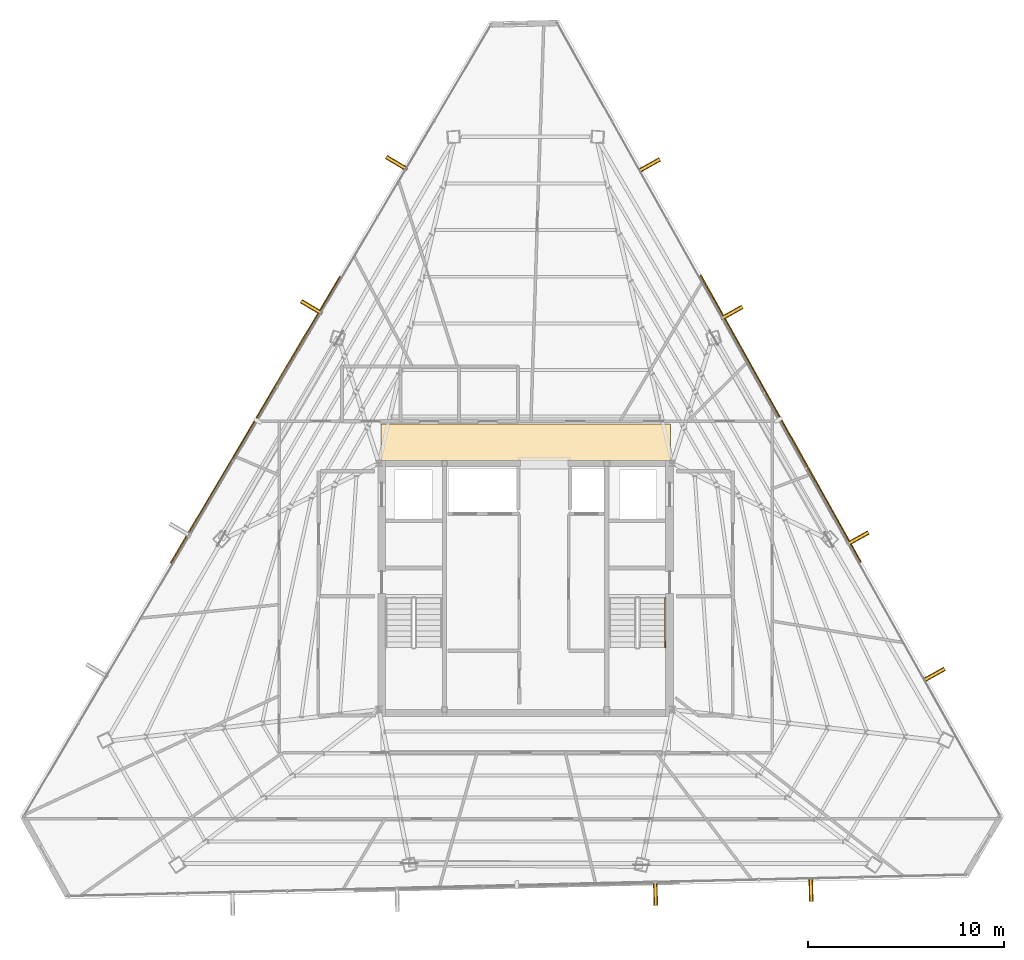
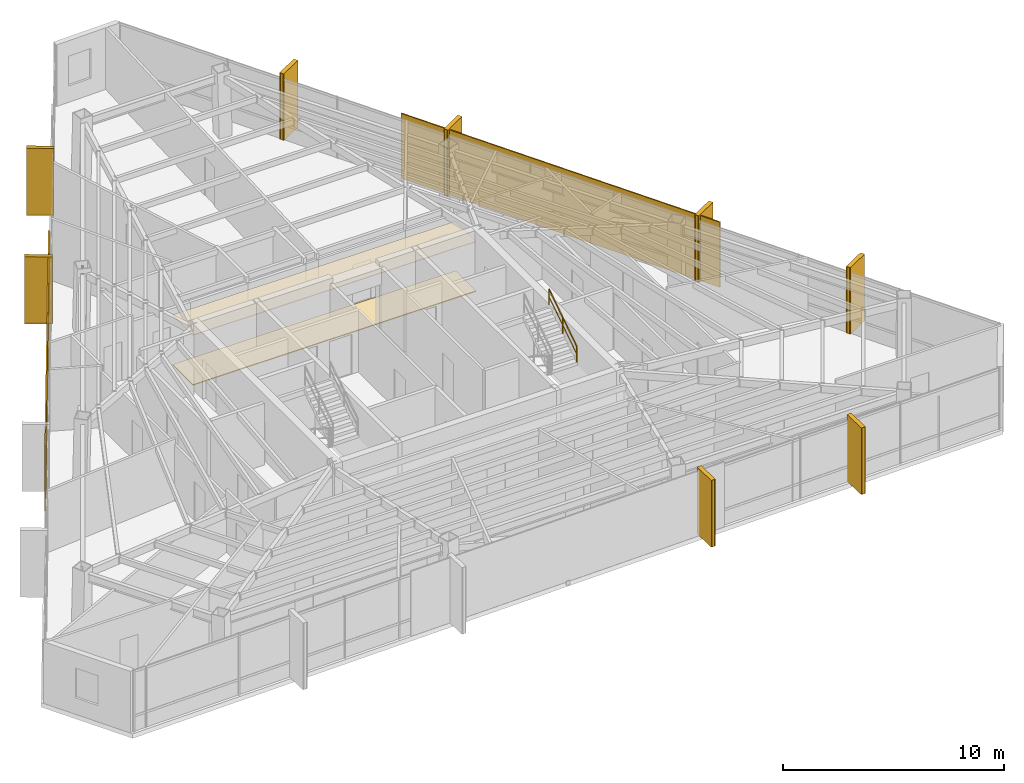
# One storey, part 45 of 45: 10 coverings, 10 shading devices, 1 railing.
"""IFC4 building model written with IfcOpenShell, lengths in metres."""

from ifc_helpers import new_model, si_unit, direction, frame, origin, origin_2d, place, context, subcontext, project, spatial, polyline, rectangle, outline, extrude, source, transform, mapped, material, layer, layer_set, type_object, type_shapes, element, save


model = new_model("IFC4")

# Units and contexts
model_context = context("Model", 3, precision=1e-05, world=origin(), true_north=direction((0.0, 1.0)))
body_context = subcontext(model_context, "Body", "Model", "MODEL_VIEW")
ifc_project = project(units=[si_unit("LENGTHUNIT", "METRE"), si_unit("AREAUNIT", "SQUARE_METRE"), si_unit("VOLUMEUNIT", "CUBIC_METRE"), si_unit("PLANEANGLEUNIT", "RADIAN"), si_unit("MASSUNIT", "GRAM", prefix="KILO")], contexts=[model_context])

# Site, building, storey
site_placement = place(None, origin())
site = spatial("IfcSite", under=ifc_project, at=site_placement, CompositionType="ELEMENT")
building_placement = place(site_placement, origin())
building = spatial("IfcBuilding", under=site, at=building_placement, Name="Caelisora Broadcast Tower", CompositionType="ELEMENT")
storey_placement = place(building_placement, frame((0.0, 0.0, 262.699951171875)))
storey = spatial("IfcBuildingStorey", under=building, at=storey_placement, Name="L69", CompositionType="ELEMENT", Elevation=262.699951171875)

# Coverings
ifc_material_1 = material(Name="Perforated Mineral-Fibre Acoustic Ceiling Tile", Category="gypsum")
ifc_layer_1 = layer(ifc_material_1, 0.034912109375, Name="Perforated Mineral-Fibre Acoustic Ceiling Tile")
ifc_layer_set_1 = layer_set([ifc_layer_1], Name="Perforated Mineral-Fibre Acoustic Ceiling Tile")
covering_type_1 = type_object("IfcCoveringType", Name="CE-1", PredefinedType="CEILING", material=ifc_layer_set_1)
covering_1_placement = place(storey_placement, frame((0.0, 0.0, 2.75)))
element("IfcCovering", 1, at=covering_1_placement, inside=storey, type_object=covering_type_1, Name="L69 acoustic corridor ceiling CE-1 (N)", PredefinedType="CEILING", context=body_context, shape_type="SweptSolid", body=[
    extrude(outline(polyline([(30.60009765625, 30.14990234375), (45.39990234375, 30.14990234375), (45.39990234375, 32.0), (30.60009765625, 32.0), (30.60009765625, 30.14990234375)])), origin(), (0.0, 0.0, 1.0), 0.03515625),
])
ifc_material_2 = material(Name="Anti-Static Broadcast Raised Access Floor Panel", Category="steel")
ifc_layer_2 = layer(ifc_material_2, 0.044921875, Name="Anti-Static Broadcast Raised Access Floor Panel")
ifc_layer_set_2 = layer_set([ifc_layer_2], Name="Anti-Static Broadcast Raised Access Floor Panel")
covering_type_2 = type_object("IfcCoveringType", Name="FL-1", PredefinedType="FLOORING", material=ifc_layer_set_2)
covering_2_placement = place(storey_placement, origin())
element("IfcCovering", 2, at=covering_2_placement, inside=storey, type_object=covering_type_2, Name="L69 broadcast raised access floor FL-1 (N)", PredefinedType="FLOORING", context=body_context, shape_type="SweptSolid", body=[
    extrude(outline(polyline([(30.60009765625, 30.14990234375), (45.39990234375, 30.14990234375), (45.39990234375, 32.0), (30.60009765625, 32.0), (30.60009765625, 30.14990234375)])), origin(), (0.0, 0.0, 1.0), 0.045166015625),
])

# Railing
ifc_material_3 = material(Name="Stainless Steel Grade 316 Tubular Handrail", Category="steel")
ifc_layer_3 = layer(ifc_material_3, 0.048095703125, Name="Stainless Steel Grade 316 Tubular Handrail")
ifc_layer_set_3 = layer_set([ifc_layer_3], Name="Stainless Steel Grade 316 Tubular Handrail")
railing_type = type_object("IfcRailingType", Name="HR-1", PredefinedType="HANDRAIL", material=ifc_layer_set_3)
railing_placement = place(storey_placement, frame((45.1298828125, 20.580078125, 2.007568359375)))
element("IfcRailing", 3, at=railing_placement, inside=storey, type_object=railing_type, Name="L69 ST-2 stair handrail 2", PredefinedType="HANDRAIL", context=body_context, shape_type="SweptSolid", body=[
    extrude(rectangle(XDim=0.048095703125, YDim=0.048095703125, at=origin_2d()), frame((0.0, 0.0, 0.8759765625), z_axis=(0.0, 0.837749427056, 0.546054848405), x_axis=(-1.0, 0.0, 0.0)), (0.0, 0.0, 1.0), 3.008056640625),
    extrude(rectangle(XDim=0.03125, YDim=0.03125, at=origin_2d()), frame((0.0, 0.0, 0.449951171875), z_axis=(0.0, 0.837749427056, 0.546054848405), x_axis=(-1.0, 0.0, 0.0)), (0.0, 0.0, 1.0), 3.008056640625),
    extrude(rectangle(XDim=0.0419921875, YDim=0.0419921875, at=origin_2d()), origin(), (0.0, 0.0, 1.0), 0.851806640625),
    extrude(rectangle(XDim=0.0419921875, YDim=0.0419921875, at=origin_2d()), frame((0.0, 1.260009765625, 0.8212890625)), (0.0, 0.0, 1.0), 0.851806640625),
    extrude(rectangle(XDim=0.0419921875, YDim=0.0419921875, at=origin_2d()), frame((0.0, 2.52001953125, 1.642578125)), (0.0, 0.0, 1.0), 0.851806640625),
])

# Coverings
ifc_material_4 = material(Name="Kiln-Fired Terracotta Spandrel Rainscreen Cladding", Category="ceramic")
ifc_layer_4 = layer(ifc_material_4, 0.044921875, Name="Kiln-Fired Terracotta Spandrel Rainscreen Cladding")
ifc_layer_set_4 = layer_set([ifc_layer_4], Name="Kiln-Fired Terracotta Spandrel Rainscreen Cladding")
covering_type_3 = type_object("IfcCoveringType", Name="CL-1", PredefinedType="CLADDING", material=ifc_layer_set_4)
shared_shape_1 = source(origin(), body_context, "Body", "SweptSolid", [
    extrude(rectangle(XDim=0.219970703125, YDim=1.25, at=origin_2d()), origin(), (0.0, 0.0, 1.0), 3.68994140625),
])
type_shapes(covering_type_3, [shared_shape_1])
for number, where, z_axis, x_axis, name in (
    (4, (44.3212890625, 45.24072265625, -0.02001953125), (0.0, 0.0, 1.0), (0.487859659139, -0.87292207727, 0.0), "L69 vertical solar fin cladding #1-1"),
    (5, (48.539794921875, 37.6923828125, -0.02001953125), (0.0, 0.0, 1.0), (0.487859659139, -0.87292207727, 0.0), "L69 vertical solar fin cladding #1-2"),
    (6, (54.986328125, 26.15673828125, -0.02001953125), (0.0, 0.0, 1.0), (0.487859659139, -0.87292207727, 0.0), "L69 vertical solar fin cladding #1-3"),
    (7, (58.882568359375, 19.18505859375, -0.02001953125), (0.0, 0.0, 1.0), (0.487859659139, -0.87292207727, 0.0), "L69 vertical solar fin cladding #1-4"),
    (8, (52.59228515625, 8.208984375, -0.02001953125), (0.0, 0.0, 1.0), (-0.999718303037, -0.023734248954, 0.0), "L69 vertical solar fin cladding #2-1"),
    (9, (44.642333984375, 8.01953125, -0.02001953125), (0.0, 0.0, 1.0), (-0.999718303037, -0.023734248954, 0.0), "L69 vertical solar fin cladding #2-2"),
    (10, (27.0498046875, 37.974365234375, -0.02001953125), (0.0, 0.0, 1.0), (0.508440380454, 0.861097195167, 0.0), "L69 vertical solar fin cladding #3-3"),
    (11, (31.40380859375, 45.346923828125, -0.02001953125), (0.0, 0.0, 1.0), (0.508440380454, 0.861097195167, 0.0), "L69 vertical solar fin cladding #3-4"),
):
    element("IfcCovering", number, at=place(storey_placement, frame(where, z_axis=z_axis, x_axis=x_axis)), inside=storey, type_object=covering_type_3, Name=name, PredefinedType="CLADDING", context=body_context, shape_type="MappedRepresentation", body=[
        mapped(shared_shape_1, transform((0.0, 0.0, 0.0), scale=1.0)),
    ])

# Shading devices
ifc_material_5 = material(Name="Extruded Terracotta Flaring Colonnade Fin", Category="ceramic")
ifc_layer_5 = layer(ifc_material_5, 0.139892578125, Name="Extruded Terracotta Flaring Colonnade Fin")
ifc_layer_set_5 = layer_set([ifc_layer_5], Name="Extruded Terracotta Flaring Colonnade Fin")
shading_device_type_1 = type_object("IfcShadingDeviceType", Name="FN-1", PredefinedType="USERDEFINED", material=ifc_layer_set_5)
shared_shape_2 = source(origin(), body_context, "Body", "SweptSolid", [
    extrude(rectangle(XDim=0.139892578125, YDim=1.25, at=origin_2d()), origin(), (0.0, 0.0, 1.0), 3.669921875),
])
type_shapes(shading_device_type_1, [shared_shape_2])
for number, where, z_axis, x_axis, name in (
    (12, (44.3212890625, 45.24072265625, -0.010009765625), (0.0, 0.0, 1.0), (0.487859659139, -0.87292207727, 0.0), "L69 vertical terracotta fin #1-1"),
    (13, (48.539794921875, 37.6923828125, -0.010009765625), (0.0, 0.0, 1.0), (0.487859659139, -0.87292207727, 0.0), "L69 vertical terracotta fin #1-2"),
    (14, (54.986328125, 26.15673828125, -0.010009765625), (0.0, 0.0, 1.0), (0.487859659139, -0.87292207727, 0.0), "L69 vertical terracotta fin #1-3"),
    (15, (58.882568359375, 19.18505859375, -0.010009765625), (0.0, 0.0, 1.0), (0.487859659139, -0.87292207727, 0.0), "L69 vertical terracotta fin #1-4"),
    (16, (52.59228515625, 8.208984375, -0.010009765625), (0.0, 0.0, 1.0), (-0.999718303037, -0.023734248954, 0.0), "L69 vertical terracotta fin #2-1"),
    (17, (44.642333984375, 8.01953125, -0.010009765625), (0.0, 0.0, 1.0), (-0.999718303037, -0.023734248954, 0.0), "L69 vertical terracotta fin #2-2"),
    (18, (27.0498046875, 37.974365234375, -0.010009765625), (0.0, 0.0, 1.0), (0.508440380454, 0.861097195167, 0.0), "L69 vertical terracotta fin #3-3"),
    (19, (31.40380859375, 45.346923828125, -0.010009765625), (0.0, 0.0, 1.0), (0.508440380454, 0.861097195167, 0.0), "L69 vertical terracotta fin #3-4"),
):
    element("IfcShadingDevice", number, at=place(storey_placement, frame(where, z_axis=z_axis, x_axis=x_axis)), inside=storey, type_object=shading_device_type_1, Name=name, ObjectType="FIN", PredefinedType="USERDEFINED", context=body_context, shape_type="MappedRepresentation", body=[
        mapped(shared_shape_2, transform((0.0, 0.0, 0.0), scale=1.0)),
    ])
ifc_material_6 = material(Name="Perforated Glazed Terracotta Baguette Solar Screen", Category="ceramic")
ifc_layer_6 = layer(ifc_material_6, 0.06494140625, Name="Perforated Glazed Terracotta Baguette Solar Screen")
ifc_layer_set_6 = layer_set([ifc_layer_6], Name="Perforated Glazed Terracotta Baguette Solar Screen")
shading_device_type_2 = type_object("IfcShadingDeviceType", Name="SS-1", PredefinedType="USERDEFINED", material=ifc_layer_set_6)
shared_shape_3 = source(origin(), body_context, "Body", "SweptSolid", [
    extrude(rectangle(XDim=16.9990234375, YDim=0.06494140625, at=origin_2d()), origin(), (0.0, 0.0, 1.0), 3.590087890625),
])
shading_device_1_placement = place(storey_placement, frame((24.181884765625, 32.233642578125, 0.0), z_axis=(0.0, 0.0, 1.0), x_axis=(-0.508440380454, -0.861097195167, 0.0)))
element("IfcShadingDevice", 20, at=shading_device_1_placement, inside=storey, type_object=shading_device_type_2, Name="L69 perforated terracotta solar screen #1", ObjectType="SOLAR SCREEN", PredefinedType="USERDEFINED", context=body_context, shape_type="MappedRepresentation", body=[
    mapped(shared_shape_3, transform((0.0, 0.0, 0.0), scale=1.0)),
])
shared_shape_4 = source(origin(), body_context, "Body", "SweptSolid", [
    extrude(rectangle(XDim=16.797119140625, YDim=0.06494140625, at=origin_2d()), origin(), (0.0, 0.0, 1.0), 3.590087890625),
])
type_shapes(shading_device_type_2, [shared_shape_3, shared_shape_4])
shading_device_2_placement = place(storey_placement, frame((51.047119140625, 32.283447265625, 0.0), z_axis=(0.0, 0.0, 1.0), x_axis=(-0.487859659139, 0.87292207727, 0.0)))
element("IfcShadingDevice", 21, at=shading_device_2_placement, inside=storey, type_object=shading_device_type_2, Name="L69 perforated terracotta solar screen #3", ObjectType="SOLAR SCREEN", PredefinedType="USERDEFINED", context=body_context, shape_type="MappedRepresentation", body=[
    mapped(shared_shape_4, transform((0.0, 0.0, 0.0), scale=1.0)),
])

save(model, "model.ifc")
